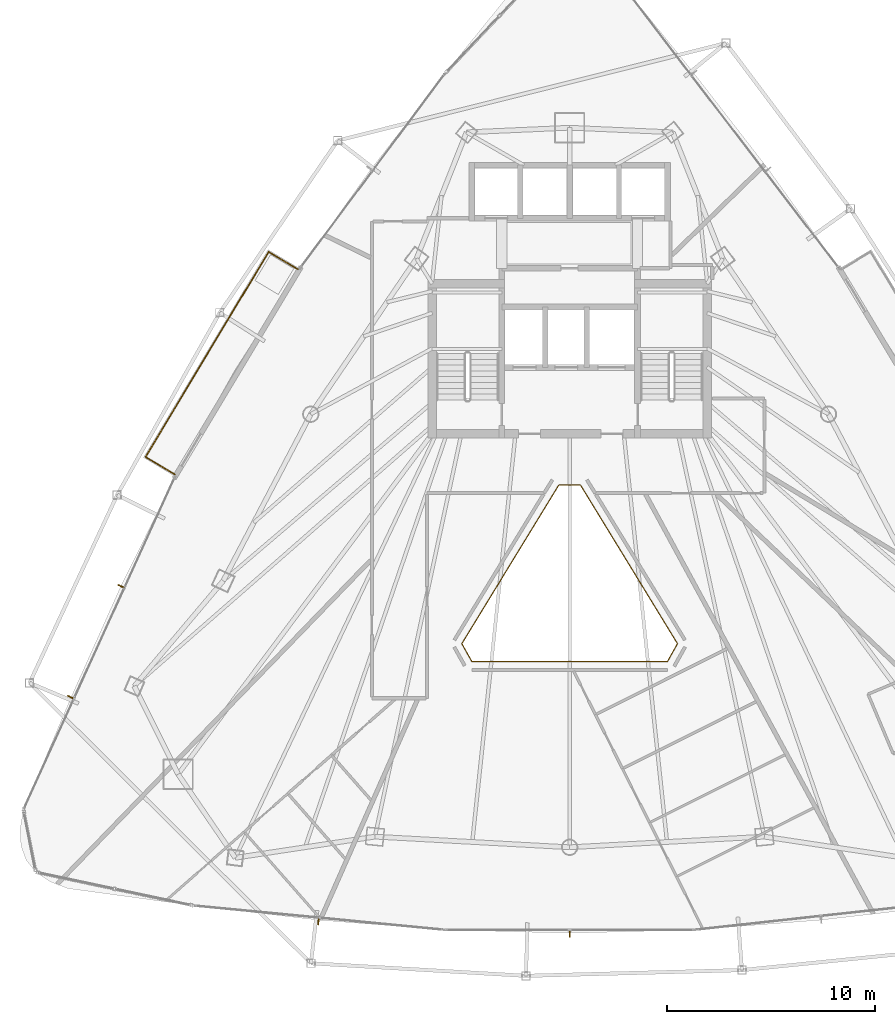
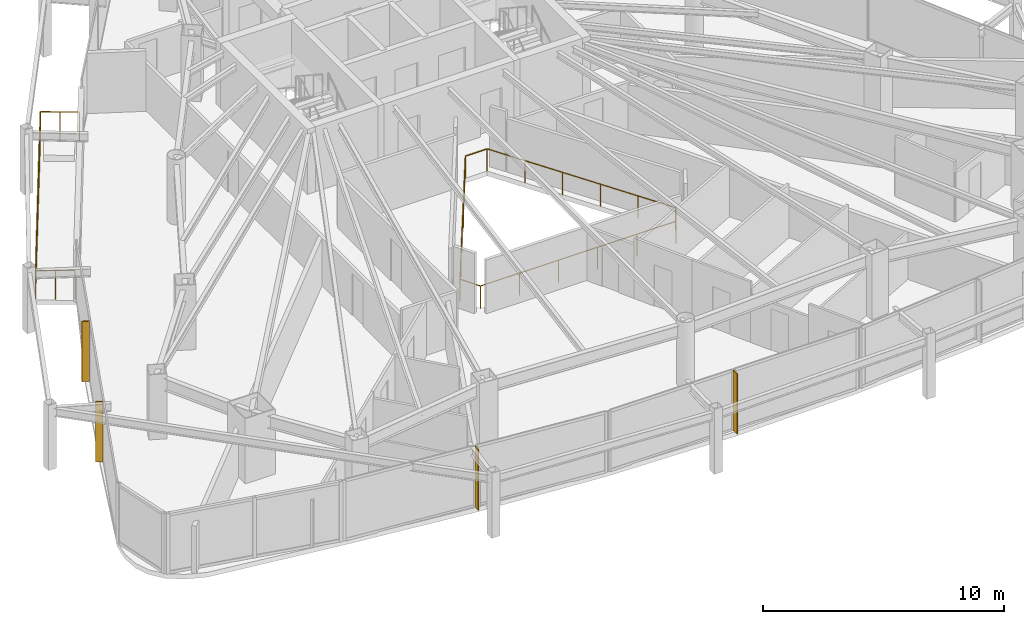
# One storey, part 29 of 31: 4 shading devices, 2 railings.
"""IFC4 building model written with IfcOpenShell, lengths in metres."""

from ifc_helpers import new_model, si_unit, direction, frame, origin, origin_2d, place, context, subcontext, project, spatial, rectangle, circle, extrude, material, layer, layer_set, type_object, element, save


model = new_model("IFC4")

# Units and contexts
model_context = context("Model", 3, precision=1e-05, world=origin(), true_north=direction((0.0, 1.0)))
body_context = subcontext(model_context, "Body", "Model", "MODEL_VIEW")
ifc_project = project(units=[si_unit("LENGTHUNIT", "METRE"), si_unit("AREAUNIT", "SQUARE_METRE"), si_unit("VOLUMEUNIT", "CUBIC_METRE"), si_unit("PLANEANGLEUNIT", "RADIAN"), si_unit("MASSUNIT", "GRAM", prefix="KILO")], contexts=[model_context])

# Site, building, storey
site_placement = place(None, origin())
site = spatial("IfcSite", under=ifc_project, at=site_placement, CompositionType="ELEMENT")
building_placement = place(site_placement, origin())
building = spatial("IfcBuilding", under=site, at=building_placement, Name="Orvanel Arch Residences", CompositionType="ELEMENT")
storey_placement = place(building_placement, frame((0.0, 0.0, 110.0)))
storey = spatial("IfcBuildingStorey", under=building, at=storey_placement, Name="L30", CompositionType="ELEMENT", Elevation=110.0)

# Shading devices
ifc_material = material(Name="Bronze-anodised aluminium AA6063-T6", Category="aluminium")
ifc_layer = layer(ifc_material, 0.054931640625)
ifc_layer_set = layer_set([ifc_layer], Name="Bronze-anodised aluminium AA6063-T6")
shading_device_type = type_object("IfcShadingDeviceType", Name="FIN-BRZ-320", PredefinedType="USERDEFINED", material=ifc_layer_set)
for number, where, z_axis, x_axis, name in (
    (1, (11.450927734375, 19.382080078125, 0.0), (0.0, 0.0, 1.0), (-0.909961270877, 0.414693242656, 0.0), "L30 Anodised Bronze Mullion FIN 01"),
    (2, (9.028076171875, 14.05908203125, 0.0), (0.0, 0.0, 1.0), (-0.909961270877, 0.414693242656, 0.0), "L30 Anodised Bronze Mullion FIN 02"),
    (3, (20.93603515625, 3.27392578125, 0.0), (0.0, 0.0, 1.0), (-0.09584575252, -0.995396198367, 0.0), "L30 Anodised Bronze Mullion FIN 01"),
    (4, (33.0, 2.69189453125, 0.0), (0.0, 0.0, 1.0), (0.0, -1.0, 0.0), "L30 Anodised Bronze Mullion FIN 01"),
):
    element("IfcShadingDevice", number, at=place(storey_placement, frame(where, z_axis=z_axis, x_axis=x_axis)), inside=storey, type_object=shading_device_type, Name=name, ObjectType="FIN", PredefinedType="USERDEFINED", context=body_context, shape_type="SweptSolid", body=[
        extrude(rectangle(XDim=0.320068359375, YDim=0.054931640625, at=origin_2d()), origin(), (0.0, 0.0, 1.0), 3.06005859375),
    ])

# Railings
railing_type_1 = type_object("IfcRailingType", Name="RL-ATR-1150", PredefinedType="BALUSTRADE", material=ifc_material)
railing_1_placement = place(storey_placement, frame((33.52392578125, 24.22998046875, 0.0)))
element("IfcRailing", 5, at=railing_1_placement, inside=storey, type_object=railing_type_1, Name="L30 Atrium Void Protective Balustrade", PredefinedType="BALUSTRADE", context=body_context, shape_type="SweptSolid", body=[
    extrude(circle(Radius=0.02392578125, at=origin_2d()), frame((-0.00146484375, 0.0, 1.1259765625), z_axis=(-1.0, 0.0, 0.0), x_axis=(0.0, -1.0, 0.0)), (0.0, 0.0, 1.0), 1.044921875),
    extrude(circle(Radius=0.02392578125, at=origin_2d()), frame((-1.048583984375, -0.001220703125, 1.1259765625), z_axis=(-0.521600617543, -0.853189777118, 0.0), x_axis=(0.853189777118, -0.521600617543, 0.0)), (0.0, 0.0, 1.0), 8.9140625),
    extrude(circle(Radius=0.02392578125, at=origin_2d()), frame((-5.6982421875, -7.609130859375, 1.1259765625), z_axis=(0.488905623949, -0.872336684355, 0.0), x_axis=(0.872336684355, 0.488905623949, 0.0)), (0.0, 0.0, 1.0), 0.980712890625),
    extrude(circle(Radius=0.02392578125, at=origin_2d()), frame((-5.216552734375, -8.466064453125, 1.1259765625), z_axis=(1.0, 0.0, 0.0), x_axis=(0.0, 1.0, 0.0)), (0.0, 0.0, 1.0), 9.38525390625),
    extrude(circle(Radius=0.02392578125, at=origin_2d()), frame((4.1708984375, -8.46484375, 1.1259765625), z_axis=(0.488905623949, 0.872336684355, 0.0), x_axis=(-0.872336684355, 0.488905623949, 0.0)), (0.0, 0.0, 1.0), 0.980712890625),
    extrude(circle(Radius=0.02392578125, at=origin_2d()), frame((4.650390625, -7.606689453125, 1.1259765625), z_axis=(-0.521600617543, 0.853189777118, 0.0), x_axis=(-0.853189777118, -0.521600617543, 0.0)), (0.0, 0.0, 1.0), 8.9140625),
    extrude(circle(Radius=0.02099609375, at=origin_2d()), origin(), (0.0, 0.0, 1.0), 1.099853515625),
    extrude(circle(Radius=0.02099609375, at=origin_2d()), frame((-1.0478515625, 0.0, 0.0)), (0.0, 0.0, 1.0), 1.099853515625),
    extrude(circle(Radius=0.02099609375, at=origin_2d()), frame((-1.97802734375, -1.521484375, 0.0)), (0.0, 0.0, 1.0), 1.099853515625),
    extrude(circle(Radius=0.02099609375, at=origin_2d()), frame((-2.908203125, -3.043212890625, 0.0)), (0.0, 0.0, 1.0), 1.099853515625),
    extrude(circle(Radius=0.02099609375, at=origin_2d()), frame((-3.838623046875, -4.564697265625, 0.0)), (0.0, 0.0, 1.0), 1.099853515625),
    extrude(circle(Radius=0.02099609375, at=origin_2d()), frame((-4.768798828125, -6.08642578125, 0.0)), (0.0, 0.0, 1.0), 1.099853515625),
    extrude(circle(Radius=0.02099609375, at=origin_2d()), frame((-5.698974609375, -7.60791015625, 0.0)), (0.0, 0.0, 1.0), 1.099853515625),
    extrude(circle(Radius=0.02099609375, at=origin_2d()), frame((-5.218017578125, -8.466064453125, 0.0)), (0.0, 0.0, 1.0), 1.099853515625),
    extrude(circle(Radius=0.02099609375, at=origin_2d()), frame((-3.34033203125, -8.466064453125, 0.0)), (0.0, 0.0, 1.0), 1.099853515625),
    extrude(circle(Radius=0.02099609375, at=origin_2d()), frame((-1.462646484375, -8.466064453125, 0.0)), (0.0, 0.0, 1.0), 1.099853515625),
    extrude(circle(Radius=0.02099609375, at=origin_2d()), frame((0.414794921875, -8.466064453125, 0.0)), (0.0, 0.0, 1.0), 1.099853515625),
    extrude(circle(Radius=0.02099609375, at=origin_2d()), frame((2.29248046875, -8.466064453125, 0.0)), (0.0, 0.0, 1.0), 1.099853515625),
    extrude(circle(Radius=0.02099609375, at=origin_2d()), frame((4.170166015625, -8.466064453125, 0.0)), (0.0, 0.0, 1.0), 1.099853515625),
    extrude(circle(Radius=0.02099609375, at=origin_2d()), frame((4.651123046875, -7.60791015625, 0.0)), (0.0, 0.0, 1.0), 1.099853515625),
    extrude(circle(Radius=0.02099609375, at=origin_2d()), frame((3.720947265625, -6.08642578125, 0.0)), (0.0, 0.0, 1.0), 1.099853515625),
    extrude(circle(Radius=0.02099609375, at=origin_2d()), frame((2.790771484375, -4.564697265625, 0.0)), (0.0, 0.0, 1.0), 1.099853515625),
    extrude(circle(Radius=0.02099609375, at=origin_2d()), frame((1.8603515625, -3.043212890625, 0.0)), (0.0, 0.0, 1.0), 1.099853515625),
    extrude(circle(Radius=0.02099609375, at=origin_2d()), frame((0.93017578125, -1.521484375, 0.0)), (0.0, 0.0, 1.0), 1.099853515625),
])
railing_type_2 = type_object("IfcRailingType", Name="RL-BAL-1480", PredefinedType="BALUSTRADE", material=ifc_material)
railing_2_placement = place(storey_placement, frame((19.951904296875, 34.595947265625, 0.0)))
element("IfcRailing", 6, at=railing_2_placement, inside=storey, type_object=railing_type_2, Name="L30 Balcony Perimeter Guardrail Face 1", PredefinedType="BALUSTRADE", context=body_context, shape_type="SweptSolid", body=[
    extrude(circle(Radius=0.02392578125, at=origin_2d()), frame((-0.001220703125, 0.000732421875, 1.4560546875), z_axis=(-0.857387817543, 0.514670895164, 0.0), x_axis=(-0.514670895164, -0.857387817543, 0.0)), (0.0, 0.0, 1.0), 1.636962890625),
    extrude(circle(Radius=0.02392578125, at=origin_2d()), frame((-1.40673828125, 0.8427734375, 1.4560546875), z_axis=(-0.514411375866, -0.857543547804, 0.0), x_axis=(0.857543547804, -0.514411375866, 0.0)), (0.0, 0.0, 1.0), 11.485595703125),
    extrude(circle(Radius=0.02392578125, at=origin_2d()), frame((-7.314697265625, -9.0087890625, 1.4560546875), z_axis=(0.857545439568, -0.514408222208, 0.0), x_axis=(0.514408222208, 0.857545439568, 0.0)), (0.0, 0.0, 1.0), 1.6376953125),
    extrude(circle(Radius=0.02099609375, at=origin_2d()), origin(), (0.0, 0.0, 1.0), 1.429931640625),
    extrude(circle(Radius=0.02099609375, at=origin_2d()), frame((-0.703125, 0.421875, 0.0)), (0.0, 0.0, 1.0), 1.429931640625),
    extrude(circle(Radius=0.02099609375, at=origin_2d()), frame((-1.406005859375, 0.843994140625, 0.0)), (0.0, 0.0, 1.0), 1.429931640625),
    extrude(circle(Radius=0.02099609375, at=origin_2d()), frame((-1.9970703125, -0.14111328125, 0.0)), (0.0, 0.0, 1.0), 1.429931640625),
    extrude(circle(Radius=0.02099609375, at=origin_2d()), frame((-2.587890625, -1.12646484375, 0.0)), (0.0, 0.0, 1.0), 1.429931640625),
    extrude(circle(Radius=0.02099609375, at=origin_2d()), frame((-3.178955078125, -2.111572265625, 0.0)), (0.0, 0.0, 1.0), 1.429931640625),
    extrude(circle(Radius=0.02099609375, at=origin_2d()), frame((-3.77001953125, -3.096923828125, 0.0)), (0.0, 0.0, 1.0), 1.429931640625),
    extrude(circle(Radius=0.02099609375, at=origin_2d()), frame((-4.36083984375, -4.08203125, 0.0)), (0.0, 0.0, 1.0), 1.429931640625),
    extrude(circle(Radius=0.02099609375, at=origin_2d()), frame((-4.951904296875, -5.067138671875, 0.0)), (0.0, 0.0, 1.0), 1.429931640625),
    extrude(circle(Radius=0.02099609375, at=origin_2d()), frame((-5.54296875, -6.052490234375, 0.0)), (0.0, 0.0, 1.0), 1.429931640625),
    extrude(circle(Radius=0.02099609375, at=origin_2d()), frame((-6.134033203125, -7.03759765625, 0.0)), (0.0, 0.0, 1.0), 1.429931640625),
    extrude(circle(Radius=0.02099609375, at=origin_2d()), frame((-6.724853515625, -8.02294921875, 0.0)), (0.0, 0.0, 1.0), 1.429931640625),
    extrude(circle(Radius=0.02099609375, at=origin_2d()), frame((-7.31591796875, -9.008056640625, 0.0)), (0.0, 0.0, 1.0), 1.429931640625),
    extrude(circle(Radius=0.02099609375, at=origin_2d()), frame((-6.6123046875, -9.43017578125, 0.0)), (0.0, 0.0, 1.0), 1.429931640625),
    extrude(circle(Radius=0.02099609375, at=origin_2d()), frame((-5.908935546875, -9.85205078125, 0.0)), (0.0, 0.0, 1.0), 1.429931640625),
])

save(model, "model.ifc")
